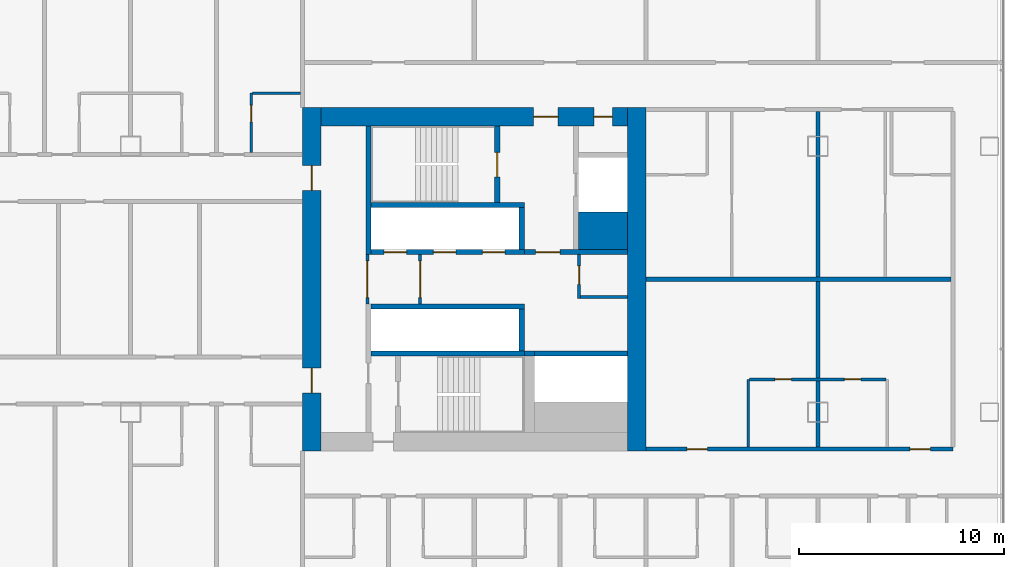
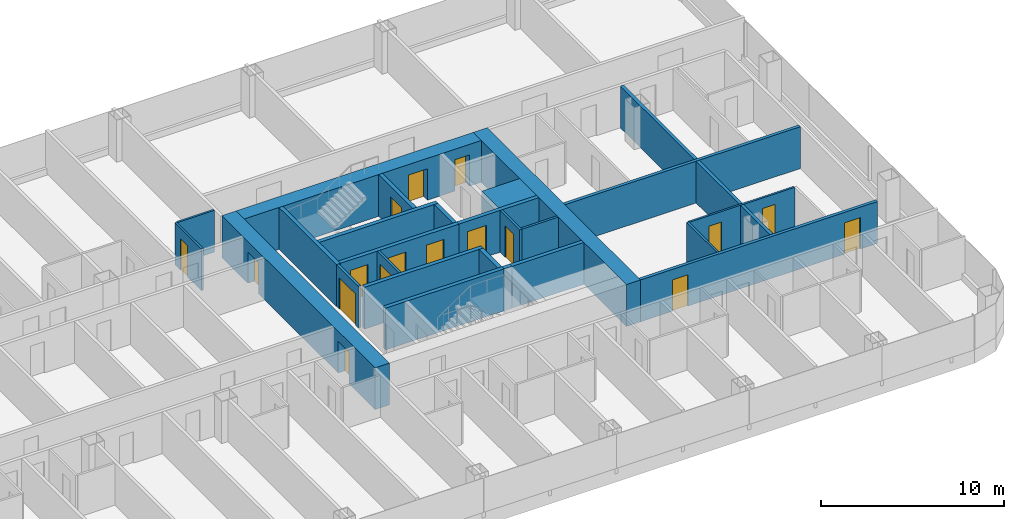
# One storey, part 19 of 29: 26 walls, 17 doors, 17 openings.
"""IFC4 building model written with IfcOpenShell, lengths in metres."""

import ifcopenshell
import ifcopenshell.guid

model = None  # the IFC model being written
_history = None  # IfcOwnerHistory: only IFC2X3 demands one
_inside = {}  # id of a spatial element -> (the spatial element, [elements in it])
_under = {}  # id of a project, library or spatial element -> (it, [spatial elements below it])
_declared = {}  # id of a project -> (the project, [libraries it declares])
_typed = {}  # id of a type object -> (the type object, [elements of that type])
_made_of = {}  # id of a material, layer set ... -> (it, [elements and type objects made of it])


def new_model(schema):
    """Start an empty IFC model of exactly this schema.

    Asked for "IFC4X3", IfcOpenShell would pick the latest addendum, in which some entities
    have other attributes; the version numbers below select the first issue.
    IFC2X3 requires an IfcOwnerHistory on every rooted entity: one is made here for all.
    """
    global model, _history
    if schema == "IFC4X3":
        model = ifcopenshell.file(schema_version=(4, 3, 0, 0))
    else:
        model = ifcopenshell.file(schema=schema)
    _inside.clear()
    _under.clear()
    _declared.clear()
    _typed.clear()
    _made_of.clear()
    _history = None
    if model.schema == "IFC2X3":
        org = make("IfcOrganization", Name="unknown")
        user = make(
            "IfcPersonAndOrganization",
            ThePerson=make("IfcPerson", FamilyName="unknown"),
            TheOrganization=org,
        )
        app = make(
            "IfcApplication",
            ApplicationDeveloper=org,
            Version="unknown",
            ApplicationFullName="unknown",
            ApplicationIdentifier="unknown",
        )
        _history = make(
            "IfcOwnerHistory",
            OwningUser=user,
            OwningApplication=app,
            ChangeAction="ADDED",
            CreationDate=0,
        )
    return model


def make(cls, **values):
    """One entity of the class cls with the attributes given. An attribute that is None is left unset."""
    return model.create_entity(
        cls, **{name: value for name, value in values.items() if value is not None}
    )


def rooted(cls, **values):
    """An entity with a GlobalId (a new one), such as an element, a storey or a relation."""
    return make(cls, GlobalId=ifcopenshell.guid.new(), OwnerHistory=_history, **values)


def si_unit(unit_type, name, prefix=None):
    """IfcSIUnit, for example si_unit("LENGTHUNIT", "METRE", prefix="MILLI")."""
    return make("IfcSIUnit", UnitType=unit_type, Prefix=prefix, Name=name)


def assignment(units):
    """IfcUnitAssignment: the units of a project."""
    return None if units is None else make("IfcUnitAssignment", Units=units)


def point(xyz):
    """IfcCartesianPoint."""
    return None if xyz is None else make("IfcCartesianPoint", Coordinates=xyz)


def direction(xyz):
    """IfcDirection."""
    return None if xyz is None else make("IfcDirection", DirectionRatios=xyz)


def frame(location, z_axis=None, x_axis=None):
    """IfcAxis2Placement3D, a coordinate frame: its origin and axes. An axis left out is left unset."""
    return make(
        "IfcAxis2Placement3D",
        Location=point(location),
        Axis=direction(z_axis),
        RefDirection=direction(x_axis),
    )


def frame_2d(location, x_axis=None):
    """IfcAxis2Placement2D, a coordinate frame in the plane: its origin and x axis."""
    return make(
        "IfcAxis2Placement2D", Location=point(location), RefDirection=direction(x_axis)
    )


def origin():
    """The frame at (0, 0, 0) with its axes left unset."""
    return frame((0.0, 0.0, 0.0))


def place(relative_to, where):
    """IfcLocalPlacement: puts the frame where relative to a parent placement (None: the world)."""
    return make(
        "IfcLocalPlacement", PlacementRelTo=relative_to, RelativePlacement=where
    )


def context(
    kind, dimensions, precision=None, world=None, true_north=None, identifier=None
):
    """IfcGeometricRepresentationContext, for example the 3D "Model" context."""
    return make(
        "IfcGeometricRepresentationContext",
        ContextIdentifier=identifier,
        ContextType=kind,
        CoordinateSpaceDimension=dimensions,
        Precision=precision,
        WorldCoordinateSystem=world,
        TrueNorth=true_north,
    )


def subcontext(parent, identifier, kind, view, scale=None):
    """IfcGeometricRepresentationSubContext, for example "Body" below "Model"."""
    return make(
        "IfcGeometricRepresentationSubContext",
        ContextIdentifier=identifier,
        ContextType=kind,
        ParentContext=parent,
        TargetScale=scale,
        TargetView=view,
    )


def project(units=None, contexts=None):
    """IfcProject with its units and contexts."""
    return rooted(
        "IfcProject",
        Name="project",
        RepresentationContexts=contexts,
        UnitsInContext=assignment(units),
    )


def spatial(cls, under=None, at=None, **own):
    """A site, building, storey or space (cls), placed at a placement, below another one or the project."""
    s = rooted(cls, ObjectPlacement=at, **own)
    if under is not None:
        _under.setdefault(under.id(), (under, []))[1].append(s)
    return s


def profile(cls, at=None, kind="AREA", **sizes):
    """A parametric profile (cls). Its sizes go by their IFC names, for example OverallWidth=200.0."""
    return make(cls, ProfileType=kind, Position=at, **sizes)


def rectangle(**sizes):
    """IfcRectangleProfileDef."""
    return profile("IfcRectangleProfileDef", **sizes)


def extrude(swept, where, along, depth):
    """IfcExtrudedAreaSolid: the profile swept, set in the frame where, extruded along a direction by depth."""
    return make(
        "IfcExtrudedAreaSolid",
        SweptArea=swept,
        Position=where,
        ExtrudedDirection=direction(along),
        Depth=depth,
    )


def shape(context_of_items, identifier, shape_type, items):
    """IfcShapeRepresentation: the items that make up one representation, for example the "Body"."""
    return make(
        "IfcShapeRepresentation",
        ContextOfItems=context_of_items,
        RepresentationIdentifier=identifier,
        RepresentationType=shape_type,
        Items=items,
    )


def material(Name=None, Category=None):
    """IfcMaterial."""
    return make("IfcMaterial", Name=Name, Category=Category)


def layer(
    of_material, thickness, ventilated=None, Name=None, Category=None, Priority=None
):
    """IfcMaterialLayer: one layer of a wall or slab, of a material (None: an air gap)."""
    return make(
        "IfcMaterialLayer",
        Material=of_material,
        LayerThickness=thickness,
        IsVentilated=ventilated,
        Name=Name,
        Category=Category,
        Priority=Priority,
    )


def layer_set(layers, Name=None):
    """IfcMaterialLayerSet."""
    return make("IfcMaterialLayerSet", MaterialLayers=layers, LayerSetName=Name)


def made_of(thing, what):
    """Note that an element or type object is made of a material, layer set ...; save() writes the relation."""
    if what is not None:
        _made_of.setdefault(what.id(), (what, []))[1].append(thing)
    return thing


def type_object(cls, material=None, **own):
    """A type object (cls), such as IfcWallType, which elements share."""
    return made_of(rooted(cls, **own), material)


def element(
    cls,
    number,
    at=None,
    inside=None,
    cuts=None,
    type_object=None,
    material=None,
    context=None,
    identifier="Body",
    shape_type=None,
    held_by="IfcProductDefinitionShape",
    body=None,
    shapes=None,
    **own,
):
    """One element of the class cls, such as IfcWall. Its Tag is "e" and its number.

    at: its placement. inside: the storey or other place that contains it. cuts: it is an
    opening in that element (IfcRelVoidsElement). A single representation is given by context,
    identifier, shape_type and body (its items); several are given by shapes. held_by: the class
    of the entity that holds the representations. save() writes the other relations.
    """
    e = rooted(cls, Tag="e%d" % number, ObjectPlacement=at, **own)
    if body is not None:
        shapes = [shape(context, identifier, shape_type, body)]
    if shapes is not None:
        e.Representation = make(held_by, Representations=shapes)
    if inside is not None:
        _inside.setdefault(inside.id(), (inside, []))[1].append(e)
    if cuts is not None:
        rooted(
            "IfcRelVoidsElement", RelatingBuildingElement=cuts, RelatedOpeningElement=e
        )
    if type_object is not None:
        _typed.setdefault(type_object.id(), (type_object, []))[1].append(e)
    return made_of(e, material)


def fill(opening, filler):
    """IfcRelFillsElement: the door or window that sits in an opening."""
    return rooted(
        "IfcRelFillsElement",
        RelatingOpeningElement=opening,
        RelatedBuildingElement=filler,
    )


def aggregate(whole, parts):
    """IfcRelAggregates: a whole, such as a stair, and the parts it consists of."""
    return rooted("IfcRelAggregates", RelatingObject=whole, RelatedObjects=parts)


def save(model, path):
    """Write the relations noted so far, then the file.

    IfcRelAggregates (storeys below a building ...), IfcRelContainedInSpatialStructure (elements
    in a storey), IfcRelDefinesByType, IfcRelAssociatesMaterial and IfcRelDeclares: one each for
    every whole, place, type object, material and project.
    """
    for whole, parts in _under.values():
        aggregate(whole, parts)
    for where, things in _inside.values():
        rooted(
            "IfcRelContainedInSpatialStructure",
            RelatedElements=things,
            RelatingStructure=where,
        )
    for kind, things in _typed.values():
        rooted("IfcRelDefinesByType", RelatedObjects=things, RelatingType=kind)
    for what, things in _made_of.values():
        rooted("IfcRelAssociatesMaterial", RelatedObjects=things, RelatingMaterial=what)
    for by, libraries in _declared.values():
        rooted("IfcRelDeclares", RelatingContext=by, RelatedDefinitions=libraries)
    model.write(path)


model = new_model("IFC4")

# Units and contexts
model_context = context("Model", 3, precision=1e-05, world=origin(), true_north=direction((0.0, 1.0)))
body_context = subcontext(model_context, "Body", "Model", "MODEL_VIEW")
ifc_project = project(units=[si_unit("LENGTHUNIT", "METRE"), si_unit("AREAUNIT", "SQUARE_METRE"), si_unit("VOLUMEUNIT", "CUBIC_METRE"), si_unit("PLANEANGLEUNIT", "RADIAN"), si_unit("MASSUNIT", "GRAM", prefix="KILO")], contexts=[model_context])

# Site, building, storey
site_placement = place(None, origin())
site = spatial("IfcSite", under=ifc_project, at=site_placement, CompositionType="ELEMENT")
building_placement = place(site_placement, origin())
building = spatial("IfcBuilding", under=site, at=building_placement, Name="Hakoniwa Tower and Hamabe Station Hall", CompositionType="ELEMENT")
storey_placement = place(building_placement, frame((0.0, 0.0, 55.0)))
storey = spatial("IfcBuildingStorey", under=building, at=storey_placement, Name="L15", CompositionType="ELEMENT", Elevation=55.0)

# Wall, openings, doors
ifc_material_1 = material(Name="Gypsum board partition", Category="gypsum")
ifc_layer_1 = layer(ifc_material_1, 0.125)
ifc_layer_set_1 = layer_set([ifc_layer_1], Name="Bathroom Partition 125")
wall_type_1 = type_object("IfcWallType", Name="Bathroom Partition 125", PredefinedType="PARTITIONING", material=ifc_layer_set_1)
wall_1_placement = place(storey_placement, frame((38.66259765625, -4.89990234375, 0.0), z_axis=(0.0, 0.0, 1.0), x_axis=(1.0, 0.0, 0.0)))
wall_1 = element("IfcWall", 1, at=wall_1_placement, inside=storey, type_object=wall_type_1, Name="GW-L15-023", PredefinedType="PARTITIONING", context=body_context, shape_type="SweptSolid", body=[
    extrude(rectangle(XDim=6.6748046875, YDim=0.125, at=frame_2d((3.33740234375, 0.0))), origin(), (0.0, 0.0, 1.0), 2.800048828125),
])
opening_1_placement = place(wall_1_placement, frame((1.237548828125, 0.0, 0.0)))
opening_1 = element("IfcOpeningElement", 2, at=opening_1_placement, cuts=wall_1, Name="Opening GD-G1B2-30", PredefinedType="OPENING", context=body_context, shape_type="SweptSolid", body=[
    extrude(rectangle(XDim=0.800048828125, YDim=2.10009765625, at=frame_2d((0.39990234375, 1.050048828125))), frame((0.0, 0.072509765625, 0.0), z_axis=(0.0, -1.0, 0.0), x_axis=(1.0, 0.0, 0.0)), (0.0, 0.0, 1.0), 0.14501953125),
])
opening_2_placement = place(wall_1_placement, frame((4.637451171875, 0.0, 0.0)))
opening_2 = element("IfcOpeningElement", 3, at=opening_2_placement, cuts=wall_1, Name="Opening GD-G1B2-31", PredefinedType="OPENING", context=body_context, shape_type="SweptSolid", body=[
    extrude(rectangle(XDim=0.800048828125, YDim=2.10009765625, at=frame_2d((0.39990234375, 1.050048828125))), frame((0.0, 0.072509765625, 0.0), z_axis=(0.0, -1.0, 0.0), x_axis=(1.0, 0.0, 0.0)), (0.0, 0.0, 1.0), 0.14501953125),
])
ifc_material_2 = material(Name="Timber door leaf", Category="wood")
door_type_1 = type_object("IfcDoorType", Name="Bathroom Door 800", OperationType="SINGLE_SWING_LEFT", PredefinedType="DOOR", material=ifc_material_2)
door_1_placement = place(opening_1_placement, origin())
door_1 = element("IfcDoor", 4, at=door_1_placement, inside=storey, type_object=door_type_1, Name="Door GD-G1B2-30", OperationType="SINGLE_SWING_LEFT", OverallHeight=2.10009765625, OverallWidth=0.800048828125, PredefinedType="DOOR", context=body_context, shape_type="SweptSolid", body=[
    extrude(rectangle(XDim=0.800048828125, YDim=2.10009765625, at=frame_2d((0.39990234375, 1.050048828125))), frame((0.0, 0.02490234375, 0.0), z_axis=(0.0, -1.0, 0.0), x_axis=(1.0, 0.0, 0.0)), (0.0, 0.0, 1.0), 0.050048828125),
])
fill(opening_1, door_1)
door_2_placement = place(opening_2_placement, origin())
door_2 = element("IfcDoor", 5, at=door_2_placement, inside=storey, type_object=door_type_1, Name="Door GD-G1B2-31", OperationType="SINGLE_SWING_RIGHT", OverallHeight=2.10009765625, OverallWidth=0.800048828125, PredefinedType="DOOR", context=body_context, shape_type="SweptSolid", body=[
    extrude(rectangle(XDim=0.800048828125, YDim=2.10009765625, at=frame_2d((0.39990234375, 1.050048828125))), frame((0.0, 0.02490234375, 0.0), z_axis=(0.0, -1.0, 0.0), x_axis=(1.0, 0.0, 0.0)), (0.0, 0.0, 1.0), 0.050048828125),
])
fill(opening_2, door_2)

# Wall
wall_2_placement = place(storey_placement, frame((14.362548828125, 9.10009765625, 0.0), z_axis=(0.0, 0.0, 1.0), x_axis=(1.0, 0.0, 0.0)))
element("IfcWall", 6, at=wall_2_placement, inside=storey, type_object=wall_type_1, Name="GW-L15-039", PredefinedType="PARTITIONING", context=body_context, shape_type="SweptSolid", body=[
    extrude(rectangle(XDim=2.33740234375, YDim=0.125, at=frame_2d((1.168701171875, 0.0))), origin(), (0.0, 0.0, 1.0), 2.800048828125),
])

# Wall, opening, door
wall_3_placement = place(storey_placement, frame((14.300048828125, 6.199951171875, 0.0), z_axis=(0.0, 0.0, 1.0), x_axis=(0.0, 1.0, 0.0)))
wall_3 = element("IfcWall", 7, at=wall_3_placement, inside=storey, type_object=wall_type_1, Name="GW-L15-116", PredefinedType="PARTITIONING", context=body_context, shape_type="SweptSolid", body=[
    extrude(rectangle(XDim=2.900146484375, YDim=0.125, at=frame_2d((1.4501953125, 0.0))), origin(), (0.0, 0.0, 1.0), 2.800048828125),
])
opening_3_placement = place(wall_3_placement, frame((1.5, 0.0, 0.0)))
opening_3 = element("IfcOpeningElement", 8, at=opening_3_placement, cuts=wall_3, Name="Opening GD-G1B2-94", PredefinedType="OPENING", context=body_context, shape_type="SweptSolid", body=[
    extrude(rectangle(XDim=0.800048828125, YDim=2.10009765625, at=frame_2d((0.39990234375, 1.050048828125))), frame((0.0, 0.072509765625, 0.0), z_axis=(0.0, -1.0, 0.0), x_axis=(1.0, 0.0, 0.0)), (0.0, 0.0, 1.0), 0.14501953125),
])
door_3_placement = place(opening_3_placement, origin())
door_3 = element("IfcDoor", 9, at=door_3_placement, inside=storey, type_object=door_type_1, Name="Door GD-G1B2-94", OperationType="SINGLE_SWING_RIGHT", OverallHeight=2.10009765625, OverallWidth=0.800048828125, PredefinedType="DOOR", context=body_context, shape_type="SweptSolid", body=[
    extrude(rectangle(XDim=0.800048828125, YDim=2.10009765625, at=frame_2d((0.39990234375, 1.050048828125))), frame((0.0, 0.02490234375, 0.0), z_axis=(0.0, -1.0, 0.0), x_axis=(1.0, 0.0, 0.0)), (0.0, 0.0, 1.0), 0.050048828125),
])
fill(opening_3, door_3)

# Wall
wall_4_placement = place(storey_placement, frame((38.60009765625, -8.199951171875, 0.0), z_axis=(0.0, 0.0, 1.0), x_axis=(0.0, 1.0, 0.0)))
element("IfcWall", 10, at=wall_4_placement, inside=storey, type_object=wall_type_1, Name="GW-L15-133", PredefinedType="PARTITIONING", context=body_context, shape_type="SweptSolid", body=[
    extrude(rectangle(XDim=3.300048828125, YDim=0.125, at=frame_2d((1.64990234375, 0.0))), origin(), (0.0, 0.0, 1.0), 2.800048828125),
])

# Wall, opening, door
ifc_material_3 = material(Name="Gypsum board partition")
ifc_layer_2 = layer(ifc_material_3, 0.14990234375)
ifc_layer_set_2 = layer_set([ifc_layer_2], Name="CORE PARTITION 150 EI 60")
wall_type_2 = type_object("IfcWallType", Name="CORE PARTITION 150 EI 60", PredefinedType="PARTITIONING", material=ifc_layer_set_2)
wall_5_placement = place(storey_placement, frame((19.97509765625, -1.199951171875, 0.0), z_axis=(0.0, 0.0, 1.0), x_axis=(0.0, 1.0, 0.0)))
wall_5 = element("IfcWall", 11, at=wall_5_placement, inside=storey, type_object=wall_type_2, Name="Core partition PL0 east", PredefinedType="PARTITIONING", context=body_context, shape_type="SweptSolid", body=[
    extrude(rectangle(XDim=2.39990234375, YDim=0.14990234375, at=frame_2d((1.199951171875, 0.0))), origin(), (0.0, 0.0, 1.0), 2.800048828125),
])
opening_4_placement = place(wall_5_placement, frame((0.300048828125, 0.0, 0.0)))
opening_4 = element("IfcOpeningElement", 12, at=opening_4_placement, cuts=wall_5, Name="Opening CD-E-LP0-18", PredefinedType="OPENING", context=body_context, shape_type="SweptSolid", body=[
    extrude(rectangle(XDim=1.800048828125, YDim=2.10009765625, at=frame_2d((0.89990234375, 1.050048828125))), frame((0.0, 0.0849609375, 0.0), z_axis=(0.0, -1.0, 0.0), x_axis=(1.0, 0.0, 0.0)), (0.0, 0.0, 1.0), 0.169921875),
])
ifc_material_4 = material(Name="Steel fire door", Category="steel")
door_type_2 = type_object("IfcDoorType", Name="CORE DOOR 1800 FD60", OperationType="DOUBLE_DOOR_SINGLE_SWING", PredefinedType="DOOR", material=ifc_material_4)
door_4_placement = place(opening_4_placement, origin())
door_4 = element("IfcDoor", 13, at=door_4_placement, inside=storey, type_object=door_type_2, Name="Lift lobby partition door", OperationType="DOUBLE_DOOR_SINGLE_SWING", OverallHeight=2.10009765625, OverallWidth=1.800048828125, PredefinedType="DOOR", context=body_context, shape_type="SweptSolid", body=[
    extrude(rectangle(XDim=1.800048828125, YDim=2.10009765625, at=frame_2d((0.89990234375, 1.050048828125))), frame((0.0, 0.02490234375, 0.0), z_axis=(0.0, -1.0, 0.0), x_axis=(1.0, 0.0, 0.0)), (0.0, 0.0, 1.0), 0.050048828125),
])
fill(opening_4, door_4)

wall_6_placement = place(storey_placement, frame((22.550048828125, -1.199951171875, 0.0), z_axis=(0.0, 0.0, 1.0), x_axis=(0.0, 1.0, 0.0)))
wall_6 = element("IfcWall", 14, at=wall_6_placement, inside=storey, type_object=wall_type_2, Name="Core partition PL1 east", PredefinedType="PARTITIONING", context=body_context, shape_type="SweptSolid", body=[
    extrude(rectangle(XDim=2.39990234375, YDim=0.14990234375, at=frame_2d((1.199951171875, 0.0))), origin(), (0.0, 0.0, 1.0), 2.800048828125),
])
opening_5_placement = place(wall_6_placement, frame((0.300048828125, 0.0, 0.0)))
opening_5 = element("IfcOpeningElement", 15, at=opening_5_placement, cuts=wall_6, Name="Opening CD-E-LP1-18", PredefinedType="OPENING", context=body_context, shape_type="SweptSolid", body=[
    extrude(rectangle(XDim=1.800048828125, YDim=2.10009765625, at=frame_2d((0.89990234375, 1.050048828125))), frame((0.0, 0.0849609375, 0.0), z_axis=(0.0, -1.0, 0.0), x_axis=(1.0, 0.0, 0.0)), (0.0, 0.0, 1.0), 0.169921875),
])
door_5_placement = place(opening_5_placement, origin())
door_5 = element("IfcDoor", 16, at=door_5_placement, inside=storey, type_object=door_type_2, Name="Lift lobby partition door", OperationType="DOUBLE_DOOR_SINGLE_SWING", OverallHeight=2.10009765625, OverallWidth=1.800048828125, PredefinedType="DOOR", context=body_context, shape_type="SweptSolid", body=[
    extrude(rectangle(XDim=1.800048828125, YDim=2.10009765625, at=frame_2d((0.89990234375, 1.050048828125))), frame((0.0, 0.02490234375, 0.0), z_axis=(0.0, -1.0, 0.0), x_axis=(1.0, 0.0, 0.0)), (0.0, 0.0, 1.0), 0.050048828125),
])
fill(opening_5, door_5)

wall_7_placement = place(storey_placement, frame((30.324951171875, -0.949951171875, 0.0), z_axis=(0.0, 0.0, 1.0), x_axis=(0.0, 1.0, 0.0)))
wall_7 = element("IfcWall", 17, at=wall_7_placement, inside=storey, type_object=wall_type_2, Name="Core partition PW0 east", PredefinedType="PARTITIONING", context=body_context, shape_type="SweptSolid", body=[
    extrude(rectangle(XDim=2.14990234375, YDim=0.14990234375, at=frame_2d((1.074951171875, 0.0))), origin(), (0.0, 0.0, 1.0), 2.800048828125),
])
opening_6_placement = place(wall_7_placement, frame((0.699951171875, 0.0, 0.0)))
opening_6 = element("IfcOpeningElement", 18, at=opening_6_placement, cuts=wall_7, Name="Opening CD-E-RM1-9", PredefinedType="OPENING", context=body_context, shape_type="SweptSolid", body=[
    extrude(rectangle(XDim=0.89990234375, YDim=2.10009765625, at=frame_2d((0.449951171875, 1.050048828125))), frame((0.0, 0.0849609375, 0.0), z_axis=(0.0, -1.0, 0.0), x_axis=(1.0, 0.0, 0.0)), (0.0, 0.0, 1.0), 0.169921875),
])
ifc_material_5 = material(Name="Steel fire door", Category="steel")
door_type_3 = type_object("IfcDoorType", Name="CORE DOOR 900 FD30", OperationType="NOTDEFINED", PredefinedType="DOOR", material=ifc_material_5)
door_6_placement = place(opening_6_placement, origin())
door_6 = element("IfcDoor", 19, at=door_6_placement, inside=storey, type_object=door_type_3, Name="Store room door", OperationType="SINGLE_SWING_RIGHT", OverallHeight=2.10009765625, OverallWidth=0.89990234375, PredefinedType="DOOR", context=body_context, shape_type="SweptSolid", body=[
    extrude(rectangle(XDim=0.89990234375, YDim=2.10009765625, at=frame_2d((0.449951171875, 1.050048828125))), frame((0.0, 0.02490234375, 0.0), z_axis=(0.0, -1.0, 0.0), x_axis=(1.0, 0.0, 0.0)), (0.0, 0.0, 1.0), 0.050048828125),
])
fill(opening_6, door_6)

# Wall
wall_8_placement = place(storey_placement, frame((30.39990234375, -0.875, 0.0), z_axis=(0.0, 0.0, 1.0), x_axis=(1.0, 0.0, 0.0)))
element("IfcWall", 20, at=wall_8_placement, inside=storey, type_object=wall_type_2, Name="Core partition PS east", PredefinedType="PARTITIONING", context=body_context, shape_type="SweptSolid", body=[
    extrude(rectangle(XDim=2.300048828125, YDim=0.14990234375, at=frame_2d((1.14990234375, 0.0))), origin(), (0.0, 0.0, 1.0), 2.800048828125),
])

# Wall, openings, doors
ifc_material_6 = material(Name="Concrete C80", Category="concrete")
ifc_layer_3 = layer(ifc_material_6, 0.89990234375)
ifc_layer_set_3 = layer_set([ifc_layer_3], Name="CORE WALL 900 C80")
wall_type_3 = type_object("IfcWallType", Name="CORE WALL 900 C80", PredefinedType="SHEAR", material=ifc_layer_set_3)
wall_9_placement = place(storey_placement, frame((17.25, -8.39990234375, 0.0), z_axis=(0.0, 0.0, 1.0), x_axis=(0.0, 1.0, 0.0)))
wall_9 = element("IfcWall", 21, at=wall_9_placement, inside=storey, type_object=wall_type_3, Name="Core wall INNER east", PredefinedType="SHEAR", context=body_context, shape_type="SweptSolid", body=[
    extrude(rectangle(XDim=16.7998046875, YDim=0.89990234375, at=frame_2d((8.39990234375, 0.0))), origin(), (0.0, 0.0, 1.0), 2.800048828125),
])
opening_7_placement = place(wall_9_placement, frame((12.75, 0.0, 0.0)))
opening_7 = element("IfcOpeningElement", 22, at=opening_7_placement, cuts=wall_9, Name="Opening CD-E-IN1-12", PredefinedType="OPENING", context=body_context, shape_type="SweptSolid", body=[
    extrude(rectangle(XDim=1.199951171875, YDim=2.10009765625, at=frame_2d((0.60009765625, 1.050048828125))), frame((0.0, 0.4599609375, 0.0), z_axis=(0.0, -1.0, 0.0), x_axis=(1.0, 0.0, 0.0)), (0.0, 0.0, 1.0), 0.919921875),
])
opening_8_placement = place(wall_9_placement, frame((2.85009765625, 0.0, 0.0)))
opening_8 = element("IfcOpeningElement", 23, at=opening_8_placement, cuts=wall_9, Name="Opening CD-E-IN2-12", PredefinedType="OPENING", context=body_context, shape_type="SweptSolid", body=[
    extrude(rectangle(XDim=1.199951171875, YDim=2.10009765625, at=frame_2d((0.60009765625, 1.050048828125))), frame((0.0, 0.4599609375, 0.0), z_axis=(0.0, -1.0, 0.0), x_axis=(1.0, 0.0, 0.0)), (0.0, 0.0, 1.0), 0.919921875),
])
ifc_material_7 = material(Name="Steel fire door", Category="steel")
door_type_4 = type_object("IfcDoorType", Name="CORE DOOR 1200 FD60", OperationType="DOUBLE_DOOR_SINGLE_SWING", PredefinedType="DOOR", material=ifc_material_7)
door_7_placement = place(opening_7_placement, origin())
door_7 = element("IfcDoor", 24, at=door_7_placement, inside=storey, type_object=door_type_4, Name="Lift lobby door", OperationType="DOUBLE_DOOR_SINGLE_SWING", OverallHeight=2.10009765625, OverallWidth=1.199951171875, PredefinedType="DOOR", context=body_context, shape_type="SweptSolid", body=[
    extrude(rectangle(XDim=1.199951171875, YDim=2.10009765625, at=frame_2d((0.60009765625, 1.050048828125))), frame((0.0, 0.02490234375, 0.0), z_axis=(0.0, -1.0, 0.0), x_axis=(1.0, 0.0, 0.0)), (0.0, 0.0, 1.0), 0.050048828125),
])
fill(opening_7, door_7)
door_8_placement = place(opening_8_placement, origin())
door_8 = element("IfcDoor", 25, at=door_8_placement, inside=storey, type_object=door_type_4, Name="Lift lobby door", OperationType="DOUBLE_DOOR_SINGLE_SWING", OverallHeight=2.10009765625, OverallWidth=1.199951171875, PredefinedType="DOOR", context=body_context, shape_type="SweptSolid", body=[
    extrude(rectangle(XDim=1.199951171875, YDim=2.10009765625, at=frame_2d((0.60009765625, 1.050048828125))), frame((0.0, 0.02490234375, 0.0), z_axis=(0.0, -1.0, 0.0), x_axis=(1.0, 0.0, 0.0)), (0.0, 0.0, 1.0), 0.050048828125),
])
fill(opening_8, door_8)

# Wall
wall_10_placement = place(storey_placement, frame((33.14990234375, -8.39990234375, 0.0), z_axis=(0.0, 0.0, 1.0), x_axis=(0.0, 1.0, 0.0)))
element("IfcWall", 26, at=wall_10_placement, inside=storey, type_object=wall_type_3, Name="Core wall OUTER east", PredefinedType="SHEAR", context=body_context, shape_type="SweptSolid", body=[
    extrude(rectangle(XDim=16.7998046875, YDim=0.89990234375, at=frame_2d((8.39990234375, 0.0))), origin(), (0.0, 0.0, 1.0), 2.800048828125),
])

# Wall, openings, doors
wall_11_placement = place(storey_placement, frame((17.699951171875, 7.949951171875, 0.0), z_axis=(0.0, 0.0, 1.0), x_axis=(1.0, 0.0, 0.0)))
wall_11 = element("IfcWall", 27, at=wall_11_placement, inside=storey, type_object=wall_type_3, Name="Core wall NORTH east", PredefinedType="SHEAR", context=body_context, shape_type="SweptSolid", body=[
    extrude(rectangle(XDim=15.0, YDim=0.89990234375, at=frame_2d((7.5, 0.0))), origin(), (0.0, 0.0, 1.0), 2.800048828125),
])
opening_9_placement = place(wall_11_placement, frame((10.39990234375, 0.0, 0.0)))
opening_9 = element("IfcOpeningElement", 28, at=opening_9_placement, cuts=wall_11, Name="Opening CD-E-FN1-12", PredefinedType="OPENING", context=body_context, shape_type="SweptSolid", body=[
    extrude(rectangle(XDim=1.199951171875, YDim=2.10009765625, at=frame_2d((0.60009765625, 1.050048828125))), frame((0.0, 0.4599609375, 0.0), z_axis=(0.0, -1.0, 0.0), x_axis=(1.0, 0.0, 0.0)), (0.0, 0.0, 1.0), 0.919921875),
])
opening_10_placement = place(wall_11_placement, frame((13.35009765625, 0.0, 0.0)))
opening_10 = element("IfcOpeningElement", 29, at=opening_10_placement, cuts=wall_11, Name="Opening CD-E-FN2-9", PredefinedType="OPENING", context=body_context, shape_type="SweptSolid", body=[
    extrude(rectangle(XDim=0.89990234375, YDim=2.10009765625, at=frame_2d((0.449951171875, 1.050048828125))), frame((0.0, 0.4599609375, 0.0), z_axis=(0.0, -1.0, 0.0), x_axis=(1.0, 0.0, 0.0)), (0.0, 0.0, 1.0), 0.919921875),
])
door_9_placement = place(opening_9_placement, origin())
door_9 = element("IfcDoor", 30, at=door_9_placement, inside=storey, type_object=door_type_4, Name="Stair vestibule door to the fire-fighting lobby", OperationType="DOUBLE_DOOR_SINGLE_SWING", OverallHeight=2.10009765625, OverallWidth=1.199951171875, PredefinedType="DOOR", context=body_context, shape_type="SweptSolid", body=[
    extrude(rectangle(XDim=1.199951171875, YDim=2.10009765625, at=frame_2d((0.60009765625, 1.050048828125))), frame((0.0, 0.02490234375, 0.0), z_axis=(0.0, -1.0, 0.0), x_axis=(1.0, 0.0, 0.0)), (0.0, 0.0, 1.0), 0.050048828125),
])
fill(opening_9, door_9)
door_10_placement = place(opening_10_placement, origin())
door_10 = element("IfcDoor", 31, at=door_10_placement, inside=storey, type_object=door_type_3, Name="Riser access door", OperationType="SINGLE_SWING_LEFT", OverallHeight=2.10009765625, OverallWidth=0.89990234375, PredefinedType="DOOR", context=body_context, shape_type="SweptSolid", body=[
    extrude(rectangle(XDim=0.89990234375, YDim=2.10009765625, at=frame_2d((0.449951171875, 1.050048828125))), frame((0.0, 0.02490234375, 0.0), z_axis=(0.0, -1.0, 0.0), x_axis=(1.0, 0.0, 0.0)), (0.0, 0.0, 1.0), 0.050048828125),
])
fill(opening_10, door_10)

# Walls
ifc_material_8 = material(Name="Concrete C80", Category="concrete")
ifc_layer_4 = layer(ifc_material_8, 1.85009765625)
ifc_layer_set_4 = layer_set([ifc_layer_4], Name="CORE WEB WALL 1850 C80")
wall_type_4 = type_object("IfcWallType", Name="CORE WEB WALL 1850 C80", PredefinedType="SHEAR", material=ifc_layer_set_4)
wall_12_placement = place(storey_placement, frame((30.300048828125, 2.375, 0.0), z_axis=(0.0, 0.0, 1.0), x_axis=(1.0, 0.0, 0.0)))
element("IfcWall", 32, at=wall_12_placement, inside=storey, type_object=wall_type_4, Name="Core wall CA east", PredefinedType="SHEAR", context=body_context, shape_type="SweptSolid", body=[
    extrude(rectangle(XDim=2.39990234375, YDim=1.85009765625, at=frame_2d((1.199951171875, 0.0))), origin(), (0.0, 0.0, 1.0), 2.800048828125),
])
ifc_material_9 = material(Name="Concrete C80", Category="concrete")
ifc_layer_5 = layer(ifc_material_9, 0.25)
ifc_layer_set_5 = layer_set([ifc_layer_5], Name="CORE WEB WALL 250 C80")
wall_type_5 = type_object("IfcWallType", Name="CORE WEB WALL 250 C80", PredefinedType="SHEAR", material=ifc_layer_set_5)
wall_13_placement = place(storey_placement, frame((20.02490234375, 1.199951171875, 0.0), z_axis=(0.0, 0.0, 1.0), x_axis=(0.0, 1.0, 0.0)))
element("IfcWall", 33, at=wall_13_placement, inside=storey, type_object=wall_type_5, Name="Core wall W1N east", PredefinedType="SHEAR", context=body_context, shape_type="SweptSolid", body=[
    extrude(rectangle(XDim=6.300048828125, YDim=0.25, at=frame_2d((3.14990234375, 0.0))), origin(), (0.0, 0.0, 1.0), 2.800048828125),
])

# Wall, openings, doors
wall_14_placement = place(storey_placement, frame((20.14990234375, 1.324951171875, 0.0), z_axis=(0.0, 0.0, 1.0), x_axis=(1.0, 0.0, 0.0)))
wall_14 = element("IfcWall", 34, at=wall_14_placement, inside=storey, type_object=wall_type_5, Name="Core wall NF east", PredefinedType="SHEAR", context=body_context, shape_type="SweptSolid", body=[
    extrude(rectangle(XDim=7.5, YDim=0.25, at=frame_2d((3.75, 0.0))), origin(), (0.0, 0.0, 1.0), 2.800048828125),
])
opening_11_placement = place(wall_14_placement, frame((0.64990234375, 0.0, 0.0)))
opening_11 = element("IfcOpeningElement", 35, at=opening_11_placement, cuts=wall_14, Name="Opening LD-LR4", PredefinedType="OPENING", context=body_context, shape_type="SweptSolid", body=[
    extrude(rectangle(XDim=1.10009765625, YDim=2.10009765625, at=frame_2d((0.550048828125, 1.050048828125))), frame((0.0, 0.135009765625, 0.0), z_axis=(0.0, -1.0, 0.0), x_axis=(1.0, 0.0, 0.0)), (0.0, 0.0, 1.0), 0.27001953125),
])
opening_12_placement = place(wall_14_placement, frame((3.050048828125, 0.0, 0.0)))
opening_12 = element("IfcOpeningElement", 36, at=opening_12_placement, cuts=wall_14, Name="Opening LD-LR5", PredefinedType="OPENING", context=body_context, shape_type="SweptSolid", body=[
    extrude(rectangle(XDim=1.10009765625, YDim=2.10009765625, at=frame_2d((0.550048828125, 1.050048828125))), frame((0.0, 0.135009765625, 0.0), z_axis=(0.0, -1.0, 0.0), x_axis=(1.0, 0.0, 0.0)), (0.0, 0.0, 1.0), 0.27001953125),
])
opening_13_placement = place(wall_14_placement, frame((5.449951171875, 0.0, 0.0)))
opening_13 = element("IfcOpeningElement", 37, at=opening_13_placement, cuts=wall_14, Name="Opening LD-LR6", PredefinedType="OPENING", context=body_context, shape_type="SweptSolid", body=[
    extrude(rectangle(XDim=1.10009765625, YDim=2.10009765625, at=frame_2d((0.550048828125, 1.050048828125))), frame((0.0, 0.135009765625, 0.0), z_axis=(0.0, -1.0, 0.0), x_axis=(1.0, 0.0, 0.0)), (0.0, 0.0, 1.0), 0.27001953125),
])
ifc_material_10 = material(Name="Stainless steel SUS304", Category="steel")
door_type_5 = type_object("IfcDoorType", Name="LIFT LANDING DOOR 1100 FD60", OperationType="DOUBLE_DOOR_SLIDING", PredefinedType="DOOR", material=ifc_material_10)
door_11_placement = place(opening_11_placement, origin())
door_11 = element("IfcDoor", 38, at=door_11_placement, inside=storey, type_object=door_type_5, Name="Lift landing door LR4 L15", OperationType="DOUBLE_DOOR_SLIDING", OverallHeight=2.10009765625, OverallWidth=1.10009765625, PredefinedType="DOOR", context=body_context, shape_type="SweptSolid", body=[
    extrude(rectangle(XDim=1.10009765625, YDim=2.10009765625, at=frame_2d((0.550048828125, 1.050048828125))), frame((0.0, 0.02490234375, 0.0), z_axis=(0.0, -1.0, 0.0), x_axis=(1.0, 0.0, 0.0)), (0.0, 0.0, 1.0), 0.050048828125),
])
fill(opening_11, door_11)
door_12_placement = place(opening_12_placement, origin())
door_12 = element("IfcDoor", 39, at=door_12_placement, inside=storey, type_object=door_type_5, Name="Lift landing door LR5 L15", OperationType="DOUBLE_DOOR_SLIDING", OverallHeight=2.10009765625, OverallWidth=1.10009765625, PredefinedType="DOOR", context=body_context, shape_type="SweptSolid", body=[
    extrude(rectangle(XDim=1.10009765625, YDim=2.10009765625, at=frame_2d((0.550048828125, 1.050048828125))), frame((0.0, 0.02490234375, 0.0), z_axis=(0.0, -1.0, 0.0), x_axis=(1.0, 0.0, 0.0)), (0.0, 0.0, 1.0), 0.050048828125),
])
fill(opening_12, door_12)
door_13_placement = place(opening_13_placement, origin())
door_13 = element("IfcDoor", 40, at=door_13_placement, inside=storey, type_object=door_type_5, Name="Lift landing door LR6 L15", OperationType="DOUBLE_DOOR_SLIDING", OverallHeight=2.10009765625, OverallWidth=1.10009765625, PredefinedType="DOOR", context=body_context, shape_type="SweptSolid", body=[
    extrude(rectangle(XDim=1.10009765625, YDim=2.10009765625, at=frame_2d((0.550048828125, 1.050048828125))), frame((0.0, 0.02490234375, 0.0), z_axis=(0.0, -1.0, 0.0), x_axis=(1.0, 0.0, 0.0)), (0.0, 0.0, 1.0), 0.050048828125),
])
fill(opening_13, door_13)

# Walls
wall_15_placement = place(storey_placement, frame((27.52490234375, 1.449951171875, 0.0), z_axis=(0.0, 0.0, 1.0), x_axis=(0.0, 1.0, 0.0)))
element("IfcWall", 41, at=wall_15_placement, inside=storey, type_object=wall_type_5, Name="Core wall NE east", PredefinedType="SHEAR", context=body_context, shape_type="SweptSolid", body=[
    extrude(rectangle(XDim=2.050048828125, YDim=0.25, at=frame_2d((1.02490234375, 0.0))), origin(), (0.0, 0.0, 1.0), 2.800048828125),
])
wall_16_placement = place(storey_placement, frame((20.14990234375, 3.625, 0.0), z_axis=(0.0, 0.0, 1.0), x_axis=(1.0, 0.0, 0.0)))
element("IfcWall", 42, at=wall_16_placement, inside=storey, type_object=wall_type_5, Name="Core wall NR east", PredefinedType="SHEAR", context=body_context, shape_type="SweptSolid", body=[
    extrude(rectangle(XDim=7.5, YDim=0.25, at=frame_2d((3.75, 0.0))), origin(), (0.0, 0.0, 1.0), 2.800048828125),
])

# Wall, opening, door
wall_17_placement = place(storey_placement, frame((26.324951171875, 3.75, 0.0), z_axis=(0.0, 0.0, 1.0), x_axis=(0.0, 1.0, 0.0)))
wall_17 = element("IfcWall", 43, at=wall_17_placement, inside=storey, type_object=wall_type_5, Name="Core wall NSE east", PredefinedType="SHEAR", context=body_context, shape_type="SweptSolid", body=[
    extrude(rectangle(XDim=3.75, YDim=0.25, at=frame_2d((1.875, 0.0))), origin(), (0.0, 0.0, 1.0), 2.800048828125),
])
opening_14_placement = place(wall_17_placement, frame((1.25, 0.0, 0.0)))
opening_14 = element("IfcOpeningElement", 44, at=opening_14_placement, cuts=wall_17, Name="Opening CD-E-SN-12", PredefinedType="OPENING", context=body_context, shape_type="SweptSolid", body=[
    extrude(rectangle(XDim=1.199951171875, YDim=2.10009765625, at=frame_2d((0.60009765625, 1.050048828125))), frame((0.0, 0.135009765625, 0.0), z_axis=(0.0, -1.0, 0.0), x_axis=(1.0, 0.0, 0.0)), (0.0, 0.0, 1.0), 0.27001953125),
])
door_14_placement = place(opening_14_placement, origin())
door_14 = element("IfcDoor", 45, at=door_14_placement, inside=storey, type_object=door_type_4, Name="Escape stair door", OperationType="DOUBLE_DOOR_SINGLE_SWING", OverallHeight=2.10009765625, OverallWidth=1.199951171875, PredefinedType="DOOR", context=body_context, shape_type="SweptSolid", body=[
    extrude(rectangle(XDim=1.199951171875, YDim=2.10009765625, at=frame_2d((0.60009765625, 1.050048828125))), frame((0.0, 0.02490234375, 0.0), z_axis=(0.0, -1.0, 0.0), x_axis=(1.0, 0.0, 0.0)), (0.0, 0.0, 1.0), 0.050048828125),
])
fill(opening_14, door_14)

wall_18_placement = place(storey_placement, frame((27.64990234375, 1.324951171875, 0.0), z_axis=(0.0, 0.0, 1.0), x_axis=(1.0, 0.0, 0.0)))
wall_18 = element("IfcWall", 46, at=wall_18_placement, inside=storey, type_object=wall_type_5, Name="Core wall ELN east", PredefinedType="SHEAR", context=body_context, shape_type="SweptSolid", body=[
    extrude(rectangle(XDim=5.050048828125, YDim=0.25, at=frame_2d((2.52490234375, 0.0))), origin(), (0.0, 0.0, 1.0), 2.800048828125),
])
opening_15_placement = place(wall_18_placement, frame((0.550048828125, 0.0, 0.0)))
opening_15 = element("IfcOpeningElement", 47, at=opening_15_placement, cuts=wall_18, Name="Opening CD-E-FL-12", PredefinedType="OPENING", context=body_context, shape_type="SweptSolid", body=[
    extrude(rectangle(XDim=1.199951171875, YDim=2.10009765625, at=frame_2d((0.60009765625, 1.050048828125))), frame((0.0, 0.135009765625, 0.0), z_axis=(0.0, -1.0, 0.0), x_axis=(1.0, 0.0, 0.0)), (0.0, 0.0, 1.0), 0.27001953125),
])
door_15_placement = place(opening_15_placement, origin())
door_15 = element("IfcDoor", 48, at=door_15_placement, inside=storey, type_object=door_type_4, Name="Stair vestibule door to the fire-fighting lobby", OperationType="DOUBLE_DOOR_SINGLE_SWING", OverallHeight=2.10009765625, OverallWidth=1.199951171875, PredefinedType="DOOR", context=body_context, shape_type="SweptSolid", body=[
    extrude(rectangle(XDim=1.199951171875, YDim=2.10009765625, at=frame_2d((0.60009765625, 1.050048828125))), frame((0.0, 0.02490234375, 0.0), z_axis=(0.0, -1.0, 0.0), x_axis=(1.0, 0.0, 0.0)), (0.0, 0.0, 1.0), 0.050048828125),
])
fill(opening_15, door_15)

# Walls
wall_19_placement = place(storey_placement, frame((20.14990234375, -1.324951171875, 0.0), z_axis=(0.0, 0.0, 1.0), x_axis=(1.0, 0.0, 0.0)))
element("IfcWall", 49, at=wall_19_placement, inside=storey, type_object=wall_type_5, Name="Core wall SF east", PredefinedType="SHEAR", context=body_context, shape_type="SweptSolid", body=[
    extrude(rectangle(XDim=7.5, YDim=0.25, at=frame_2d((3.75, 0.0))), origin(), (0.0, 0.0, 1.0), 2.800048828125),
])
wall_20_placement = place(storey_placement, frame((27.52490234375, -3.5, 0.0), z_axis=(0.0, 0.0, 1.0), x_axis=(0.0, 1.0, 0.0)))
element("IfcWall", 50, at=wall_20_placement, inside=storey, type_object=wall_type_5, Name="Core wall SE east", PredefinedType="SHEAR", context=body_context, shape_type="SweptSolid", body=[
    extrude(rectangle(XDim=2.050048828125, YDim=0.25, at=frame_2d((1.02490234375, 0.0))), origin(), (0.0, 0.0, 1.0), 2.800048828125),
])
wall_21_placement = place(storey_placement, frame((20.14990234375, -3.625, 0.0), z_axis=(0.0, 0.0, 1.0), x_axis=(1.0, 0.0, 0.0)))
element("IfcWall", 51, at=wall_21_placement, inside=storey, type_object=wall_type_5, Name="Core wall SR east", PredefinedType="SHEAR", context=body_context, shape_type="SweptSolid", body=[
    extrude(rectangle(XDim=7.5, YDim=0.25, at=frame_2d((3.75, 0.0))), origin(), (0.0, 0.0, 1.0), 2.800048828125),
])
wall_22_placement = place(storey_placement, frame((28.14990234375, -3.625, 0.0), z_axis=(0.0, 0.0, 1.0), x_axis=(1.0, 0.0, 0.0)))
element("IfcWall", 52, at=wall_22_placement, inside=storey, type_object=wall_type_5, Name="Core wall SEF east", PredefinedType="SHEAR", context=body_context, shape_type="SweptSolid", body=[
    extrude(rectangle(XDim=4.550048828125, YDim=0.25, at=frame_2d((2.27490234375, 0.0))), origin(), (0.0, 0.0, 1.0), 2.800048828125),
])
wall_23_placement = place(storey_placement, frame((27.64990234375, -3.625, 0.0), z_axis=(0.0, 0.0, 1.0), x_axis=(1.0, 0.0, 0.0)))
element("IfcWall", 53, at=wall_23_placement, inside=storey, type_object=wall_type_5, Name="Core wall SRK east", PredefinedType="SHEAR", context=body_context, shape_type="SweptSolid", body=[
    extrude(rectangle(XDim=0.5, YDim=0.25, at=frame_2d((0.25, 0.0))), origin(), (0.0, 0.0, 1.0), 2.800048828125),
])

# Wall, openings, doors
ifc_material_11 = material(Name="Fire-rated gypsum board partition", Category="gypsum")
ifc_layer_6 = layer(ifc_material_11, 0.199951171875)
ifc_layer_set_6 = layer_set([ifc_layer_6], Name="Corridor Wall 200")
wall_type_6 = type_object("IfcWallType", Name="Corridor Wall 200", PredefinedType="PARTITIONING", material=ifc_layer_set_6)
wall_24_placement = place(storey_placement, frame((33.60009765625, -8.300048828125, 0.0), z_axis=(0.0, 0.0, 1.0), x_axis=(1.0, 0.0, 0.0)))
wall_24 = element("IfcWall", 54, at=wall_24_placement, inside=storey, type_object=wall_type_6, Name="GW-L15-019", PredefinedType="PARTITIONING", context=body_context, shape_type="SweptSolid", body=[
    extrude(rectangle(XDim=15.0, YDim=0.199951171875, at=frame_2d((7.5, 0.0))), origin(), (0.0, 0.0, 1.0), 2.800048828125),
])
opening_16_placement = place(wall_24_placement, frame((2.0, 0.0, 0.0)))
opening_16 = element("IfcOpeningElement", 55, at=opening_16_placement, cuts=wall_24, Name="Opening GD-G1B2-18", PredefinedType="OPENING", context=body_context, shape_type="SweptSolid", body=[
    extrude(rectangle(XDim=1.0, YDim=2.10009765625, at=frame_2d((0.5, 1.050048828125))), frame((0.0, 0.10986328125, 0.0), z_axis=(0.0, -1.0, 0.0), x_axis=(1.0, 0.0, 0.0)), (0.0, 0.0, 1.0), 0.219970703125),
])
opening_17_placement = place(wall_24_placement, frame((12.89990234375, 0.0, 0.0)))
opening_17 = element("IfcOpeningElement", 56, at=opening_17_placement, cuts=wall_24, Name="Opening GD-G1B2-19", PredefinedType="OPENING", context=body_context, shape_type="SweptSolid", body=[
    extrude(rectangle(XDim=1.0, YDim=2.10009765625, at=frame_2d((0.5, 1.050048828125))), frame((0.0, 0.10986328125, 0.0), z_axis=(0.0, -1.0, 0.0), x_axis=(1.0, 0.0, 0.0)), (0.0, 0.0, 1.0), 0.219970703125),
])
ifc_material_12 = material(Name="Timber door leaf", Category="wood")
door_type_6 = type_object("IfcDoorType", Name="Guest Entrance Door 1000", OperationType="SINGLE_SWING_LEFT", PredefinedType="DOOR", material=ifc_material_12)
door_16_placement = place(opening_16_placement, origin())
door_16 = element("IfcDoor", 57, at=door_16_placement, inside=storey, type_object=door_type_6, Name="Door GD-G1B2-18", OperationType="SINGLE_SWING_RIGHT", OverallHeight=2.10009765625, OverallWidth=1.0, PredefinedType="DOOR", context=body_context, shape_type="SweptSolid", body=[
    extrude(rectangle(XDim=1.0, YDim=2.10009765625, at=frame_2d((0.5, 1.050048828125))), frame((0.0, 0.02490234375, 0.0), z_axis=(0.0, -1.0, 0.0), x_axis=(1.0, 0.0, 0.0)), (0.0, 0.0, 1.0), 0.050048828125),
])
fill(opening_16, door_16)
door_17_placement = place(opening_17_placement, origin())
door_17 = element("IfcDoor", 58, at=door_17_placement, inside=storey, type_object=door_type_6, Name="Door GD-G1B2-19", OperationType="SINGLE_SWING_LEFT", OverallHeight=2.10009765625, OverallWidth=1.0, PredefinedType="DOOR", context=body_context, shape_type="SweptSolid", body=[
    extrude(rectangle(XDim=1.0, YDim=2.10009765625, at=frame_2d((0.5, 1.050048828125))), frame((0.0, 0.02490234375, 0.0), z_axis=(0.0, -1.0, 0.0), x_axis=(1.0, 0.0, 0.0)), (0.0, 0.0, 1.0), 0.050048828125),
])
fill(opening_17, door_17)

# Walls
ifc_material_13 = material(Name="Fire-rated gypsum board partition", Category="gypsum")
ifc_layer_7 = layer(ifc_material_13, 0.199951171875)
ifc_layer_set_7 = layer_set([ifc_layer_7], Name="Party Wall 200")
wall_type_7 = type_object("IfcWallType", Name="Party Wall 200", PredefinedType="PARTITIONING", material=ifc_layer_set_7)
wall_25_placement = place(storey_placement, frame((33.60009765625, 0.0, 0.0), z_axis=(0.0, 0.0, 1.0), x_axis=(1.0, 0.0, 0.0)))
element("IfcWall", 59, at=wall_25_placement, inside=storey, type_object=wall_type_7, Name="GW-L15-026", PredefinedType="PARTITIONING", context=body_context, shape_type="SweptSolid", body=[
    extrude(rectangle(XDim=14.89990234375, YDim=0.199951171875, at=frame_2d((7.449951171875, 0.0))), origin(), (0.0, 0.0, 1.0), 2.800048828125),
])
wall_26_placement = place(storey_placement, frame((42.0, -8.199951171875, 0.0), z_axis=(0.0, 0.0, 1.0), x_axis=(0.0, 1.0, 0.0)))
element("IfcWall", 60, at=wall_26_placement, inside=storey, type_object=wall_type_7, Name="GW-L15-136", PredefinedType="PARTITIONING", context=body_context, shape_type="SweptSolid", body=[
    extrude(rectangle(XDim=16.39990234375, YDim=0.199951171875, at=frame_2d((8.199951171875, 0.0))), origin(), (0.0, 0.0, 1.0), 2.800048828125),
])

save(model, "model.ifc")
